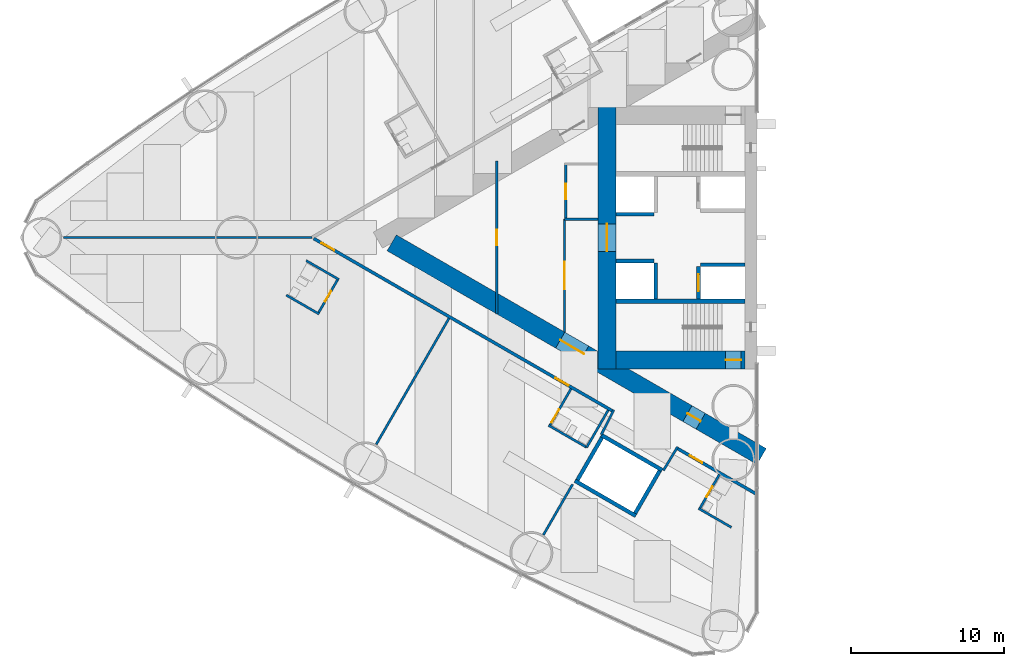
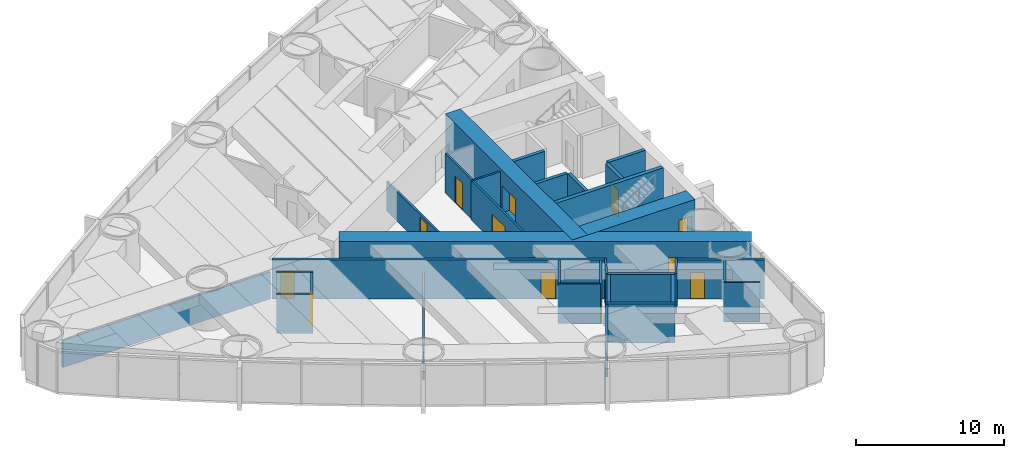
# One storey, part 11 of 18: 32 walls, 14 doors, 14 openings.
"""IFC4 building model written with IfcOpenShell, lengths in metres."""

from ifc_helpers import new_model, si_unit, direction, frame, frame_2d, origin, place, context, subcontext, project, spatial, rectangle, extrude, material, layer, layer_set, type_object, element, fill, save


model = new_model("IFC4")

# Units and contexts
model_context = context("Model", 3, precision=1e-05, world=origin(), true_north=direction((0.0, 1.0)))
body_context = subcontext(model_context, "Body", "Model", "MODEL_VIEW")
ifc_project = project(units=[si_unit("LENGTHUNIT", "METRE"), si_unit("AREAUNIT", "SQUARE_METRE"), si_unit("VOLUMEUNIT", "CUBIC_METRE"), si_unit("PLANEANGLEUNIT", "RADIAN"), si_unit("MASSUNIT", "GRAM", prefix="KILO")], contexts=[model_context])

# Site, building, storey
site_placement = place(None, origin())
site = spatial("IfcSite", under=ifc_project, at=site_placement, CompositionType="ELEMENT")
building_placement = place(site_placement, origin())
building = spatial("IfcBuilding", under=site, at=building_placement, Name="Lancet Gate Hotel", CompositionType="ELEMENT")
storey_placement = place(building_placement, frame((0.0, 0.0, 46.0)))
storey = spatial("IfcBuildingStorey", under=building, at=storey_placement, Name="L11", CompositionType="ELEMENT", Elevation=46.0)

# Wall
ifc_material_1 = material(Name="Moisture resistant board partition")
ifc_layer_1 = layer(ifc_material_1, 0.14990234375)
ifc_layer_set_1 = layer_set([ifc_layer_1], Name="Bathroom wall 150")
wall_type_1 = type_object("IfcWallType", Name="Bathroom wall 150", PredefinedType="PARTITIONING", material=ifc_layer_set_1)
wall_1_placement = place(storey_placement, frame((-56.111083984375, -4.998291015625, 0.0), z_axis=(0.0, 0.0, 1.0), x_axis=(-0.866031185235, 0.4999899861, 0.0)))
element("IfcWall", 1, at=wall_1_placement, inside=storey, type_object=wall_type_1, Name="T1 bathroom wall 150 L11", PredefinedType="PARTITIONING", context=body_context, shape_type="SweptSolid", body=[
    extrude(rectangle(XDim=2.47509765625, YDim=0.14990234375, at=frame_2d((1.237548828125, 0.0))), origin(), (0.0, 0.0, 1.0), 3.25),
])

# Wall, opening, door
wall_2_placement = place(storey_placement, frame((-54.8759765625, -2.708984375, 0.0), z_axis=(0.0, 0.0, 1.0), x_axis=(-0.500006934395, -0.866021400173, 0.0)))
wall_2 = element("IfcWall", 2, at=wall_2_placement, inside=storey, type_object=wall_type_1, Name="T1 bathroom wall 150 L11", PredefinedType="PARTITIONING", context=body_context, shape_type="SweptSolid", body=[
    extrude(rectangle(XDim=2.60009765625, YDim=0.14990234375, at=frame_2d((1.300048828125, 0.0))), origin(), (0.0, 0.0, 1.0), 3.25),
])
opening_1_placement = place(wall_2_placement, frame((0.89990234375, 0.0, 0.0)))
opening_1 = element("IfcOpeningElement", 3, at=opening_1_placement, cuts=wall_2, Name="Opening 1105-B", PredefinedType="OPENING", context=body_context, shape_type="SweptSolid", body=[
    extrude(rectangle(XDim=0.800048828125, YDim=2.199951171875, at=frame_2d((0.39990234375, 1.10009765625))), frame((0.0, 0.0849609375, 0.0), z_axis=(0.0, -1.0, 0.0), x_axis=(1.0, 0.0, 0.0)), (0.0, 0.0, 1.0), 0.169921875),
])
ifc_material_2 = material(Name="Timber door set", Category="wood")
door_type_1 = type_object("IfcDoorType", Name="Bathroom door 800", OperationType="SINGLE_SWING_RIGHT", PredefinedType="DOOR", material=ifc_material_2)
door_1_placement = place(opening_1_placement, origin())
door_1 = element("IfcDoor", 4, at=door_1_placement, inside=storey, type_object=door_type_1, Name="1105-B", OperationType="SINGLE_SWING_RIGHT", OverallHeight=2.199951171875, OverallWidth=0.800048828125, PredefinedType="DOOR", context=body_context, shape_type="SweptSolid", body=[
    extrude(rectangle(XDim=0.800048828125, YDim=2.199951171875, at=frame_2d((0.39990234375, 1.10009765625))), frame((0.0, 0.02490234375, 0.0), z_axis=(0.0, -1.0, 0.0), x_axis=(1.0, 0.0, 0.0)), (0.0, 0.0, 1.0), 0.050048828125),
])
fill(opening_1, door_1)

# Walls
wall_3_placement = place(storey_placement, frame((-54.81103515625, -2.74658203125, 0.0), z_axis=(0.0, 0.0, 1.0), x_axis=(-0.866031185235, 0.4999899861, 0.0)))
element("IfcWall", 5, at=wall_3_placement, inside=storey, type_object=wall_type_1, Name="T1 bathroom wall 150 L11", PredefinedType="PARTITIONING", context=body_context, shape_type="SweptSolid", body=[
    extrude(rectangle(XDim=2.47509765625, YDim=0.14990234375, at=frame_2d((1.237548828125, 0.0))), origin(), (0.0, 0.0, 1.0), 3.25),
])
wall_4_placement = place(storey_placement, frame((-38.630126953125, -13.705322265625, 0.0), z_axis=(0.0, 0.0, 1.0), x_axis=(-0.866018712932, 0.500011588718, 0.0)))
element("IfcWall", 6, at=wall_4_placement, inside=storey, type_object=wall_type_1, Name="T1 bathroom wall 150 L11", PredefinedType="PARTITIONING", context=body_context, shape_type="SweptSolid", body=[
    extrude(rectangle(XDim=2.875, YDim=0.14990234375, at=frame_2d((1.4375, 0.0))), origin(), (0.0, 0.0, 1.0), 3.25),
])

# Wall, opening, door
wall_5_placement = place(storey_placement, frame((-39.65478515625, -9.88037109375, 0.0), z_axis=(0.0, 0.0, 1.0), x_axis=(-0.500049511043, -0.865996816683, 0.0)))
wall_5 = element("IfcWall", 7, at=wall_5_placement, inside=storey, type_object=wall_type_1, Name="T1 bathroom wall 150 L11", PredefinedType="PARTITIONING", context=body_context, shape_type="SweptSolid", body=[
    extrude(rectangle(XDim=2.800048828125, YDim=0.14990234375, at=frame_2d((1.39990234375, 0.0))), origin(), (0.0, 0.0, 1.0), 3.25),
])
opening_2_placement = place(wall_5_placement, frame((1.550048828125, 0.0, 0.0)))
opening_2 = element("IfcOpeningElement", 8, at=opening_2_placement, cuts=wall_5, Name="Opening 1107-B", PredefinedType="OPENING", context=body_context, shape_type="SweptSolid", body=[
    extrude(rectangle(XDim=1.0, YDim=2.199951171875, at=frame_2d((0.5, 1.10009765625))), frame((0.0, 0.0849609375, 0.0), z_axis=(0.0, -1.0, 0.0), x_axis=(1.0, 0.0, 0.0)), (0.0, 0.0, 1.0), 0.169921875),
])
ifc_material_3 = material(Name="Timber door set", Category="wood")
door_type_2 = type_object("IfcDoorType", Name="Accessible en-suite door 1000", OperationType="SINGLE_SWING_RIGHT", PredefinedType="DOOR", material=ifc_material_3)
door_2_placement = place(opening_2_placement, origin())
door_2 = element("IfcDoor", 9, at=door_2_placement, inside=storey, type_object=door_type_2, Name="1107-B", OperationType="SINGLE_SWING_RIGHT", OverallHeight=2.199951171875, OverallWidth=1.0, PredefinedType="DOOR", context=body_context, shape_type="SweptSolid", body=[
    extrude(rectangle(XDim=1.0, YDim=2.199951171875, at=frame_2d((0.5, 1.10009765625))), frame((0.0, 0.02490234375, 0.0), z_axis=(0.0, -1.0, 0.0), x_axis=(1.0, 0.0, 0.0)), (0.0, 0.0, 1.0), 0.050048828125),
])
fill(opening_2, door_2)

# Walls
wall_6_placement = place(storey_placement, frame((-37.22998046875, -11.280517578125, 0.0), z_axis=(0.0, 0.0, 1.0), x_axis=(-0.500049511043, -0.865996816683, 0.0)))
element("IfcWall", 10, at=wall_6_placement, inside=storey, type_object=wall_type_1, Name="T1 bathroom wall 150 L11", PredefinedType="PARTITIONING", context=body_context, shape_type="SweptSolid", body=[
    extrude(rectangle(XDim=2.800048828125, YDim=0.14990234375, at=frame_2d((1.39990234375, 0.0))), origin(), (0.0, 0.0, 1.0), 3.25),
])
wall_7_placement = place(storey_placement, frame((-29.181884765625, -18.92919921875, 0.0), z_axis=(0.0, 0.0, 1.0), x_axis=(-0.866006523861, 0.500032699561, 0.0)))
element("IfcWall", 11, at=wall_7_placement, inside=storey, type_object=wall_type_1, Name="T1 bathroom wall 150 L11", PredefinedType="PARTITIONING", context=body_context, shape_type="SweptSolid", body=[
    extrude(rectangle(XDim=2.474853515625, YDim=0.14990234375, at=frame_2d((1.2373046875, 0.0))), origin(), (0.0, 0.0, 1.0), 3.25),
])

# Wall, opening, door
wall_8_placement = place(storey_placement, frame((-29.960205078125, -15.4775390625, 0.0), z_axis=(0.0, 0.0, 1.0), x_axis=(-0.500006934395, -0.866021400173, 0.0)))
wall_8 = element("IfcWall", 12, at=wall_8_placement, inside=storey, type_object=wall_type_1, Name="T1 bathroom wall 150 L11", PredefinedType="PARTITIONING", context=body_context, shape_type="SweptSolid", body=[
    extrude(rectangle(XDim=2.60009765625, YDim=0.14990234375, at=frame_2d((1.300048828125, 0.0))), origin(), (0.0, 0.0, 1.0), 3.25),
])
opening_3_placement = place(wall_8_placement, frame((0.89990234375, 0.0, 0.0)))
opening_3 = element("IfcOpeningElement", 13, at=opening_3_placement, cuts=wall_8, Name="Opening 1108-B", PredefinedType="OPENING", context=body_context, shape_type="SweptSolid", body=[
    extrude(rectangle(XDim=0.800048828125, YDim=2.199951171875, at=frame_2d((0.39990234375, 1.10009765625))), frame((0.0, 0.0849609375, 0.0), z_axis=(0.0, -1.0, 0.0), x_axis=(1.0, 0.0, 0.0)), (0.0, 0.0, 1.0), 0.169921875),
])
door_3_placement = place(opening_3_placement, origin())
door_3 = element("IfcDoor", 14, at=door_3_placement, inside=storey, type_object=door_type_1, Name="1108-B", OperationType="SINGLE_SWING_RIGHT", OverallHeight=2.199951171875, OverallWidth=0.800048828125, PredefinedType="DOOR", context=body_context, shape_type="SweptSolid", body=[
    extrude(rectangle(XDim=0.800048828125, YDim=2.199951171875, at=frame_2d((0.39990234375, 1.10009765625))), frame((0.0, 0.02490234375, 0.0), z_axis=(0.0, -1.0, 0.0), x_axis=(1.0, 0.0, 0.0)), (0.0, 0.0, 1.0), 0.050048828125),
])
fill(opening_3, door_3)

# Wall, openings, doors
ifc_material_4 = material(Name="Concrete C70/85", Category="concrete")
ifc_layer_2 = layer(ifc_material_4, 1.199951171875)
ifc_layer_set_2 = layer_set([ifc_layer_2], Name="Buttress wall 1200")
wall_type_2 = type_object("IfcWallType", Name="Buttress wall 1200", PredefinedType="SHEAR", material=ifc_layer_set_2)
wall_9_placement = place(storey_placement, frame((-27.199951171875, -14.300048828125, 0.0), z_axis=(0.0, 0.0, 1.0), x_axis=(-0.866024021859, 0.500002393557, 0.0)))
wall_9 = element("IfcWall", 15, at=wall_9_placement, inside=storey, type_object=wall_type_2, Name="T1 buttress wall N L11", PredefinedType="SHEAR", context=body_context, shape_type="SweptSolid", body=[
    extrude(rectangle(XDim=27.906982421875, YDim=1.199951171875, at=frame_2d((13.95361328125, 0.0))), origin(), (0.0, 0.0, 1.0), 3.5),
])
opening_4_placement = place(wall_9_placement, frame((4.60009765625, 0.0, 0.0)))
opening_4 = element("IfcOpeningElement", 16, at=opening_4_placement, cuts=wall_9, Name="Opening T1-L11-LN", PredefinedType="OPENING", context=body_context, shape_type="SweptSolid", body=[
    extrude(rectangle(XDim=1.0, YDim=2.199951171875, at=frame_2d((0.5, 1.10009765625))), frame((0.0, 0.60986328125, 0.0), z_axis=(0.0, -1.0, 0.0), x_axis=(1.0, 0.0, 0.0)), (0.0, 0.0, 1.0), 1.219970703125),
])
opening_5_placement = place(wall_9_placement, frame((13.39453125, 0.0, 0.0)))
opening_5 = element("IfcOpeningElement", 17, at=opening_5_placement, cuts=wall_9, Name="Opening T1-L11-LHN", PredefinedType="OPENING", context=body_context, shape_type="SweptSolid", body=[
    extrude(rectangle(XDim=1.800048828125, YDim=2.199951171875, at=frame_2d((0.89990234375, 1.10009765625))), frame((0.0, 0.60986328125, 0.0), z_axis=(0.0, -1.0, 0.0), x_axis=(1.0, 0.0, 0.0)), (0.0, 0.0, 1.0), 1.219970703125),
])
ifc_material_5 = material(Name="Timber door set", Category="wood")
door_type_3 = type_object("IfcDoorType", Name="Lobby double door 1800", OperationType="DOUBLE_DOOR_SINGLE_SWING", PredefinedType="DOOR", material=ifc_material_5)
door_4_placement = place(opening_5_placement, origin())
door_4 = element("IfcDoor", 18, at=door_4_placement, inside=storey, type_object=door_type_3, Name="T1-L11-LHN", OperationType="DOUBLE_DOOR_SINGLE_SWING", OverallHeight=2.199951171875, OverallWidth=1.800048828125, PredefinedType="DOOR", context=body_context, shape_type="SweptSolid", body=[
    extrude(rectangle(XDim=1.800048828125, YDim=2.199951171875, at=frame_2d((0.89990234375, 1.10009765625))), frame((0.0, 0.02490234375, 0.0), z_axis=(0.0, -1.0, 0.0), x_axis=(1.0, 0.0, 0.0)), (0.0, 0.0, 1.0), 0.050048828125),
])
fill(opening_5, door_4)
ifc_material_6 = material(Name="Timber door set", Category="wood")
door_type_4 = type_object("IfcDoorType", Name="Stair lobby door 1000", OperationType="SINGLE_SWING_LEFT", PredefinedType="DOOR", material=ifc_material_6)
door_5_placement = place(opening_4_placement, origin())
door_5 = element("IfcDoor", 19, at=door_5_placement, inside=storey, type_object=door_type_4, Name="T1-L11-LN", OperationType="SINGLE_SWING_LEFT", OverallHeight=2.199951171875, OverallWidth=1.0, PredefinedType="DOOR", context=body_context, shape_type="SweptSolid", body=[
    extrude(rectangle(XDim=1.0, YDim=2.199951171875, at=frame_2d((0.5, 1.10009765625))), frame((0.0, 0.02490234375, 0.0), z_axis=(0.0, -1.0, 0.0), x_axis=(1.0, 0.0, 0.0)), (0.0, 0.0, 1.0), 0.050048828125),
])
fill(opening_4, door_5)

# Wall, opening, door
ifc_material_7 = material(Name="Concrete C70/85", Category="concrete")
ifc_layer_3 = layer(ifc_material_7, 1.199951171875)
ifc_layer_set_3 = layer_set([ifc_layer_3], Name="Core wall 1200")
wall_type_3 = type_object("IfcWallType", Name="Core wall 1200", PredefinedType="SHEAR", material=ifc_layer_set_3)
wall_10_placement = place(storey_placement, frame((-37.300048828125, 8.60009765625, 0.0), z_axis=(0.0, 0.0, 1.0), x_axis=(0.0, -1.0, 0.0)))
wall_10 = element("IfcWall", 20, at=wall_10_placement, inside=storey, type_object=wall_type_3, Name="T1 core wall back L11", PredefinedType="SHEAR", context=body_context, shape_type="SweptSolid", body=[
    extrude(rectangle(XDim=17.2001953125, YDim=1.199951171875, at=frame_2d((8.60009765625, 0.0))), origin(), (0.0, 0.0, 1.0), 3.5),
])
opening_6_placement = place(wall_10_placement, frame((7.699951171875, 0.0, 0.0)))
opening_6 = element("IfcOpeningElement", 21, at=opening_6_placement, cuts=wall_10, Name="Opening T1-L11-LL", PredefinedType="OPENING", context=body_context, shape_type="SweptSolid", body=[
    extrude(rectangle(XDim=1.800048828125, YDim=2.199951171875, at=frame_2d((0.89990234375, 1.10009765625))), frame((0.0, 0.60986328125, 0.0), z_axis=(0.0, -1.0, 0.0), x_axis=(1.0, 0.0, 0.0)), (0.0, 0.0, 1.0), 1.219970703125),
])
door_6_placement = place(opening_6_placement, origin())
door_6 = element("IfcDoor", 22, at=door_6_placement, inside=storey, type_object=door_type_3, Name="T1-L11-LL", OperationType="DOUBLE_DOOR_SINGLE_SWING", OverallHeight=2.199951171875, OverallWidth=1.800048828125, PredefinedType="DOOR", context=body_context, shape_type="SweptSolid", body=[
    extrude(rectangle(XDim=1.800048828125, YDim=2.199951171875, at=frame_2d((0.89990234375, 1.10009765625))), frame((0.0, 0.02490234375, 0.0), z_axis=(0.0, -1.0, 0.0), x_axis=(1.0, 0.0, 0.0)), (0.0, 0.0, 1.0), 0.050048828125),
])
fill(opening_6, door_6)

wall_11_placement = place(storey_placement, frame((-28.300048828125, -8.0, 0.0), z_axis=(0.0, 0.0, 1.0), x_axis=(-1.0, 0.0, 0.0)))
wall_11 = element("IfcWall", 23, at=wall_11_placement, inside=storey, type_object=wall_type_3, Name="T1 core wall side-N L11", PredefinedType="SHEAR", context=body_context, shape_type="SweptSolid", body=[
    extrude(rectangle(XDim=8.39990234375, YDim=1.199951171875, at=frame_2d((4.199951171875, 0.0))), origin(), (0.0, 0.0, 1.0), 3.5),
])
opening_7_placement = place(wall_11_placement, frame((0.25, 0.0, 0.0)))
opening_7 = element("IfcOpeningElement", 24, at=opening_7_placement, cuts=wall_11, Name="Opening T1-L11-ST2", PredefinedType="OPENING", context=body_context, shape_type="SweptSolid", body=[
    extrude(rectangle(XDim=1.0, YDim=2.199951171875, at=frame_2d((0.5, 1.10009765625))), frame((0.0, 0.60986328125, 0.0), z_axis=(0.0, -1.0, 0.0), x_axis=(1.0, 0.0, 0.0)), (0.0, 0.0, 1.0), 1.219970703125),
])
ifc_material_8 = material(Name="Timber door set", Category="wood")
door_type_5 = type_object("IfcDoorType", Name="Stair door 1000", OperationType="SINGLE_SWING_RIGHT", PredefinedType="DOOR", material=ifc_material_8)
door_7_placement = place(opening_7_placement, origin())
door_7 = element("IfcDoor", 25, at=door_7_placement, inside=storey, type_object=door_type_5, Name="T1-L11-ST2", OperationType="SINGLE_SWING_RIGHT", OverallHeight=2.199951171875, OverallWidth=1.0, PredefinedType="DOOR", context=body_context, shape_type="SweptSolid", body=[
    extrude(rectangle(XDim=1.0, YDim=2.199951171875, at=frame_2d((0.5, 1.10009765625))), frame((0.0, 0.02490234375, 0.0), z_axis=(0.0, -1.0, 0.0), x_axis=(1.0, 0.0, 0.0)), (0.0, 0.0, 1.0), 0.050048828125),
])
fill(opening_7, door_7)

ifc_material_9 = material(Name="Gypsum board partition")
ifc_layer_4 = layer(ifc_material_9, 0.199951171875)
ifc_layer_set_4 = layer_set([ifc_layer_4], Name="Corridor wall 200")
wall_type_4 = type_object("IfcWallType", Name="Corridor wall 200", PredefinedType="PARTITIONING", material=ifc_layer_set_4)
wall_12_placement = place(storey_placement, frame((-27.572021484375, -16.740966796875, 0.0), z_axis=(0.0, 0.0, 1.0), x_axis=(-0.866024464444, 0.500001626982, 0.0)))
wall_12 = element("IfcWall", 26, at=wall_12_placement, inside=storey, type_object=wall_type_4, Name="T1 corridor wall 200 L11", PredefinedType="PARTITIONING", context=body_context, shape_type="SweptSolid", body=[
    extrude(rectangle(XDim=5.955078125, YDim=0.199951171875, at=frame_2d((2.9775390625, 0.0))), origin(), (0.0, 0.0, 1.0), 3.25),
])
opening_8_placement = place(wall_12_placement, frame((4.050048828125, 0.0, 0.0)))
opening_8 = element("IfcOpeningElement", 27, at=opening_8_placement, cuts=wall_12, Name="Opening 1108-E", PredefinedType="OPENING", context=body_context, shape_type="SweptSolid", body=[
    extrude(rectangle(XDim=0.949951171875, YDim=2.199951171875, at=frame_2d((0.47509765625, 1.10009765625))), frame((0.0, 0.10986328125, 0.0), z_axis=(0.0, -1.0, 0.0), x_axis=(1.0, 0.0, 0.0)), (0.0, 0.0, 1.0), 0.219970703125),
])
ifc_material_10 = material(Name="Timber door set", Category="wood")
door_type_6 = type_object("IfcDoorType", Name="Guest room entry door 950", OperationType="SINGLE_SWING_LEFT", PredefinedType="DOOR", material=ifc_material_10)
door_8_placement = place(opening_8_placement, origin())
door_8 = element("IfcDoor", 28, at=door_8_placement, inside=storey, type_object=door_type_6, Name="1108-E", OperationType="SINGLE_SWING_LEFT", OverallHeight=2.199951171875, OverallWidth=0.949951171875, PredefinedType="DOOR", context=body_context, shape_type="SweptSolid", body=[
    extrude(rectangle(XDim=0.949951171875, YDim=2.199951171875, at=frame_2d((0.47509765625, 1.10009765625))), frame((0.0, 0.02490234375, 0.0), z_axis=(0.0, -1.0, 0.0), x_axis=(1.0, 0.0, 0.0)), (0.0, 0.0, 1.0), 0.050048828125),
])
fill(opening_8, door_8)

# Wall, openings, doors
wall_13_placement = place(storey_placement, frame((-36.920166015625, -11.34375, 0.0), z_axis=(0.0, 0.0, 1.0), x_axis=(-0.866028313256, 0.499994960614, 0.0)))
wall_13 = element("IfcWall", 29, at=wall_13_placement, inside=storey, type_object=wall_type_4, Name="T1 corridor wall 200 L11", PredefinedType="PARTITIONING", context=body_context, shape_type="SweptSolid", body=[
    extrude(rectangle(XDim=22.567626953125, YDim=0.199951171875, at=frame_2d((11.28369140625, 0.0))), origin(), (0.0, 0.0, 1.0), 3.25),
])
opening_9_placement = place(wall_13_placement, frame((21.017578125, 0.0, 0.0)))
opening_9 = element("IfcOpeningElement", 30, at=opening_9_placement, cuts=wall_13, Name="Opening 1105-E", PredefinedType="OPENING", context=body_context, shape_type="SweptSolid", body=[
    extrude(rectangle(XDim=0.949951171875, YDim=2.199951171875, at=frame_2d((0.47509765625, 1.10009765625))), frame((0.0, 0.10986328125, 0.0), z_axis=(0.0, -1.0, 0.0), x_axis=(1.0, 0.0, 0.0)), (0.0, 0.0, 1.0), 0.219970703125),
])
opening_10_placement = place(wall_13_placement, frame((3.35009765625, 0.0, 0.0)))
opening_10 = element("IfcOpeningElement", 31, at=opening_10_placement, cuts=wall_13, Name="Opening 1107-E", PredefinedType="OPENING", context=body_context, shape_type="SweptSolid", body=[
    extrude(rectangle(XDim=1.0, YDim=2.199951171875, at=frame_2d((0.5, 1.10009765625))), frame((0.0, 0.10986328125, 0.0), z_axis=(0.0, -1.0, 0.0), x_axis=(1.0, 0.0, 0.0)), (0.0, 0.0, 1.0), 0.219970703125),
])
ifc_material_11 = material(Name="Timber door set", Category="wood")
door_type_7 = type_object("IfcDoorType", Name="Accessible guest room door 1000", OperationType="SINGLE_SWING_LEFT", PredefinedType="DOOR", material=ifc_material_11)
door_9_placement = place(opening_10_placement, origin())
door_9 = element("IfcDoor", 32, at=door_9_placement, inside=storey, type_object=door_type_7, Name="1107-E", OperationType="SINGLE_SWING_LEFT", OverallHeight=2.199951171875, OverallWidth=1.0, PredefinedType="DOOR", context=body_context, shape_type="SweptSolid", body=[
    extrude(rectangle(XDim=1.0, YDim=2.199951171875, at=frame_2d((0.5, 1.10009765625))), frame((0.0, 0.02490234375, 0.0), z_axis=(0.0, -1.0, 0.0), x_axis=(1.0, 0.0, 0.0)), (0.0, 0.0, 1.0), 0.050048828125),
])
fill(opening_10, door_9)
door_10_placement = place(opening_9_placement, origin())
door_10 = element("IfcDoor", 33, at=door_10_placement, inside=storey, type_object=door_type_6, Name="1105-E", OperationType="SINGLE_SWING_LEFT", OverallHeight=2.199951171875, OverallWidth=0.949951171875, PredefinedType="DOOR", context=body_context, shape_type="SweptSolid", body=[
    extrude(rectangle(XDim=0.949951171875, YDim=2.199951171875, at=frame_2d((0.47509765625, 1.10009765625))), frame((0.0, 0.02490234375, 0.0), z_axis=(0.0, -1.0, 0.0), x_axis=(1.0, 0.0, 0.0)), (0.0, 0.0, 1.0), 0.050048828125),
])
fill(opening_9, door_10)

# Walls
ifc_material_12 = material(Name="Gypsum board partition")
ifc_layer_5 = layer(ifc_material_12, 0.25)
ifc_layer_set_5 = layer_set([ifc_layer_5], Name="Lift shaft partition 250")
wall_type_5 = type_object("IfcWallType", Name="Lift shaft partition 250", PredefinedType="PARTITIONING", material=ifc_layer_set_5)
wall_14_placement = place(storey_placement, frame((-33.695556640625, -15.197265625, 0.0), z_axis=(0.0, 0.0, 1.0), x_axis=(-0.865976953817, 0.500083908417, 0.0)))
element("IfcWall", 34, at=wall_14_placement, inside=storey, type_object=wall_type_5, Name="T1 lift shaft wall EX L11", PredefinedType="PARTITIONING", context=body_context, shape_type="SweptSolid", body=[
    extrude(rectangle(XDim=4.599365234375, YDim=0.25, at=frame_2d((2.2998046875, 0.0))), origin(), (0.0, 0.0, 1.0), 3.25),
])
wall_15_placement = place(storey_placement, frame((-35.42041015625, -18.185791015625, 0.0), z_axis=(0.0, 0.0, 1.0), x_axis=(-0.865990227814, 0.50006092162, 0.0)))
element("IfcWall", 35, at=wall_15_placement, inside=storey, type_object=wall_type_5, Name="T1 lift shaft wall EX L11", PredefinedType="PARTITIONING", context=body_context, shape_type="SweptSolid", body=[
    extrude(rectangle(XDim=4.599609375, YDim=0.25, at=frame_2d((2.2998046875, 0.0))), origin(), (0.0, 0.0, 1.0), 3.25),
])
wall_16_placement = place(storey_placement, frame((-33.8662109375, -15.242919921875, 0.0), z_axis=(0.0, 0.0, 1.0), x_axis=(-0.499929347863, -0.866066190972, 0.0)))
element("IfcWall", 36, at=wall_16_placement, inside=storey, type_object=wall_type_5, Name="T1 lift shaft wall EX L11", PredefinedType="PARTITIONING", context=body_context, shape_type="SweptSolid", body=[
    extrude(rectangle(XDim=3.20068359375, YDim=0.25, at=frame_2d((1.600341796875, 0.0))), origin(), (0.0, 0.0, 1.0), 3.25),
])
wall_17_placement = place(storey_placement, frame((-37.6328125, -13.068115234375, 0.0), z_axis=(0.0, 0.0, 1.0), x_axis=(-0.499872130319, -0.866099216793, 0.0)))
element("IfcWall", 37, at=wall_17_placement, inside=storey, type_object=wall_type_5, Name="T1 lift shaft wall EX L11", PredefinedType="PARTITIONING", context=body_context, shape_type="SweptSolid", body=[
    extrude(rectangle(XDim=3.200439453125, YDim=0.25, at=frame_2d((1.60009765625, 0.0))), origin(), (0.0, 0.0, 1.0), 3.25),
])
ifc_material_13 = material(Name="Concrete C50/60", Category="concrete")
ifc_layer_6 = layer(ifc_material_13, 0.25)
ifc_layer_set_6 = layer_set([ifc_layer_6], Name="Lift shaft wall 250")
wall_type_6 = type_object("IfcWallType", Name="Lift shaft wall 250", PredefinedType="SHEAR", material=ifc_layer_set_6)
wall_18_placement = place(storey_placement, frame((-34.25, 1.52490234375, 0.0), z_axis=(0.0, 0.0, 1.0), x_axis=(-1.0, 0.0, 0.0)))
element("IfcWall", 38, at=wall_18_placement, inside=storey, type_object=wall_type_6, Name="T1 core wall pass2-S L11", PredefinedType="SHEAR", context=body_context, shape_type="SweptSolid", body=[
    extrude(rectangle(XDim=2.449951171875, YDim=0.25, at=frame_2d((1.22509765625, 0.0))), origin(), (0.0, 0.0, 1.0), 3.5),
])

# Wall, opening, door
wall_19_placement = place(storey_placement, frame((-31.324951171875, -1.89990234375, 0.0), z_axis=(0.0, 0.0, 1.0), x_axis=(0.0, -1.0, 0.0)))
wall_19 = element("IfcWall", 39, at=wall_19_placement, inside=storey, type_object=wall_type_6, Name="T1 core wall row1-N L11", PredefinedType="SHEAR", context=body_context, shape_type="SweptSolid", body=[
    extrude(rectangle(XDim=2.10009765625, YDim=0.25, at=frame_2d((1.050048828125, 0.0))), origin(), (0.0, 0.0, 1.0), 3.5),
])
opening_11_placement = place(wall_19_placement, frame((0.5, 0.0, 0.0)))
opening_11 = element("IfcOpeningElement", 40, at=opening_11_placement, cuts=wall_19, Name="Opening T1-FL2-L11", PredefinedType="OPENING", context=body_context, shape_type="SweptSolid", body=[
    extrude(rectangle(XDim=1.10009765625, YDim=2.199951171875, at=frame_2d((0.550048828125, 1.10009765625))), frame((0.0, 0.135009765625, 0.0), z_axis=(0.0, -1.0, 0.0), x_axis=(1.0, 0.0, 0.0)), (0.0, 0.0, 1.0), 0.27001953125),
])
ifc_material_14 = material(Name="Steel door set", Category="steel")
door_type_8 = type_object("IfcDoorType", Name="Firefighting lift landing door 1100", OperationType="SLIDING_TO_LEFT", PredefinedType="USERDEFINED", material=ifc_material_14)
door_11_placement = place(opening_11_placement, origin())
door_11 = element("IfcDoor", 41, at=door_11_placement, inside=storey, type_object=door_type_8, Name="T1-FL2-L11", ObjectType="LIFT LANDING DOOR", OperationType="SLIDING_TO_LEFT", OverallHeight=2.199951171875, OverallWidth=1.10009765625, PredefinedType="USERDEFINED", context=body_context, shape_type="SweptSolid", body=[
    extrude(rectangle(XDim=1.10009765625, YDim=2.199951171875, at=frame_2d((0.550048828125, 1.10009765625))), frame((0.0, 0.02490234375, 0.0), z_axis=(0.0, -1.0, 0.0), x_axis=(1.0, 0.0, 0.0)), (0.0, 0.0, 1.0), 0.050048828125),
])
fill(opening_11, door_11)

# Walls
wall_20_placement = place(storey_placement, frame((-34.125, -1.64990234375, 0.0), z_axis=(0.0, 0.0, 1.0), x_axis=(0.0, -1.0, 0.0)))
element("IfcWall", 42, at=wall_20_placement, inside=storey, type_object=wall_type_6, Name="T1 core wall row2-N L11", PredefinedType="SHEAR", context=body_context, shape_type="SweptSolid", body=[
    extrude(rectangle(XDim=2.35009765625, YDim=0.25, at=frame_2d((1.175048828125, 0.0))), origin(), (0.0, 0.0, 1.0), 3.5),
])
wall_21_placement = place(storey_placement, frame((-28.300048828125, -1.77490234375, 0.0), z_axis=(0.0, 0.0, 1.0), x_axis=(-1.0, 0.0, 0.0)))
element("IfcWall", 43, at=wall_21_placement, inside=storey, type_object=wall_type_6, Name="T1 core wall pass1-N L11", PredefinedType="SHEAR", context=body_context, shape_type="SweptSolid", body=[
    extrude(rectangle(XDim=2.89990234375, YDim=0.25, at=frame_2d((1.449951171875, 0.0))), origin(), (0.0, 0.0, 1.0), 3.5),
])
wall_22_placement = place(storey_placement, frame((-34.25, -1.52490234375, 0.0), z_axis=(0.0, 0.0, 1.0), x_axis=(-1.0, 0.0, 0.0)))
element("IfcWall", 44, at=wall_22_placement, inside=storey, type_object=wall_type_6, Name="T1 core wall pass2-N L11", PredefinedType="SHEAR", context=body_context, shape_type="SweptSolid", body=[
    extrude(rectangle(XDim=2.449951171875, YDim=0.25, at=frame_2d((1.22509765625, 0.0))), origin(), (0.0, 0.0, 1.0), 3.5),
])
ifc_material_15 = material(Name="Gypsum board partition")
ifc_layer_7 = layer(ifc_material_15, 0.14990234375)
ifc_layer_set_7 = layer_set([ifc_layer_7], Name="Party wall 150")
wall_type_7 = type_object("IfcWallType", Name="Party wall 150", PredefinedType="PARTITIONING", material=ifc_layer_set_7)
wall_23_placement = place(storey_placement, frame((-47.626708984375, -5.27783203125, 0.0), z_axis=(0.0, 0.0, 1.0), x_axis=(-0.500009844318, -0.86601972009, 0.0)))
element("IfcWall", 45, at=wall_23_placement, inside=storey, type_object=wall_type_7, Name="T1 party wall 150 L11", PredefinedType="PARTITIONING", context=body_context, shape_type="SweptSolid", body=[
    extrude(rectangle(XDim=9.510498046875, YDim=0.14990234375, at=frame_2d((4.75537109375, 0.0))), origin(), (0.0, 0.0, 1.0), 2.25),
])
wall_24_placement = place(storey_placement, frame((-56.568359375, 0.0, 0.0), z_axis=(0.0, 0.0, 1.0), x_axis=(-1.0, 0.0, 0.0)))
element("IfcWall", 46, at=wall_24_placement, inside=storey, type_object=wall_type_7, Name="T1 party wall 150 L11", PredefinedType="PARTITIONING", context=body_context, shape_type="SweptSolid", body=[
    extrude(rectangle(XDim=16.246826171875, YDim=0.14990234375, at=frame_2d((8.12353515625, 0.0))), origin(), (0.0, 0.0, 1.0), 2.25),
])
wall_25_placement = place(storey_placement, frame((-39.55078125, -16.118408203125, 0.0), z_axis=(0.0, 0.0, 1.0), x_axis=(-0.499986503906, -0.866033195618, 0.0)))
element("IfcWall", 47, at=wall_25_placement, inside=storey, type_object=wall_type_7, Name="T1 party wall 150 L11", PredefinedType="PARTITIONING", context=body_context, shape_type="SweptSolid", body=[
    extrude(rectangle(XDim=3.81494140625, YDim=0.14990234375, at=frame_2d((1.907470703125, 0.0))), origin(), (0.0, 0.0, 1.0), 3.25),
])
ifc_material_16 = material(Name="Gypsum board partition")
ifc_layer_8 = layer(ifc_material_16, 0.14990234375)
ifc_layer_set_8 = layer_set([ifc_layer_8], Name="Service room wall 150")
wall_type_8 = type_object("IfcWallType", Name="Service room wall 150", PredefinedType="PARTITIONING", material=ifc_layer_set_8)
wall_26_placement = place(storey_placement, frame((-36.857177734375, -11.2646484375, 0.0), z_axis=(0.0, 0.0, 1.0), x_axis=(-0.454225294761, -0.890886851176, 0.0)))
element("IfcWall", 48, at=wall_26_placement, inside=storey, type_object=wall_type_8, Name="T1 service room wall 150 L11", PredefinedType="PARTITIONING", context=body_context, shape_type="SweptSolid", body=[
    extrude(rectangle(XDim=1.80712890625, YDim=0.14990234375, at=frame_2d((0.903564453125, 0.0))), origin(), (0.0, 0.0, 1.0), 3.25),
])
wall_27_placement = place(storey_placement, frame((-33.62060546875, -15.217529296875, 0.0), z_axis=(0.0, 0.0, 1.0), x_axis=(0.514336634837, 0.857588377991, 0.0)))
element("IfcWall", 49, at=wall_27_placement, inside=storey, type_object=wall_type_8, Name="T1 service room wall 150 L11", PredefinedType="PARTITIONING", context=body_context, shape_type="SweptSolid", body=[
    extrude(rectangle(XDim=1.80517578125, YDim=0.14990234375, at=frame_2d((0.902587890625, 0.0))), origin(), (0.0, 0.0, 1.0), 3.25),
])
wall_28_placement = place(storey_placement, frame((-37.89990234375, 1.199951171875, 0.0), z_axis=(0.0, 0.0, 1.0), x_axis=(-1.0, 0.0, 0.0)))
element("IfcWall", 50, at=wall_28_placement, inside=storey, type_object=wall_type_8, Name="T1 service room wall 150 L11", PredefinedType="PARTITIONING", context=body_context, shape_type="SweptSolid", body=[
    extrude(rectangle(XDim=2.175048828125, YDim=0.14990234375, at=frame_2d((1.08740234375, 0.0))), origin(), (0.0, 0.0, 1.0), 3.25),
])

# Wall, opening, door
wall_29_placement = place(storey_placement, frame((-40.0, 4.875, 0.0), z_axis=(0.0, 0.0, 1.0), x_axis=(0.0, -1.0, 0.0)))
wall_29 = element("IfcWall", 51, at=wall_29_placement, inside=storey, type_object=wall_type_8, Name="T1 service room wall 150 L11", PredefinedType="PARTITIONING", context=body_context, shape_type="SweptSolid", body=[
    extrude(rectangle(XDim=3.75, YDim=0.14990234375, at=frame_2d((1.875, 0.0))), origin(), (0.0, 0.0, 1.0), 3.25),
])
opening_12_placement = place(wall_29_placement, frame((1.375, 0.0, 0.0)))
opening_12 = element("IfcOpeningElement", 52, at=opening_12_placement, cuts=wall_29, Name="Opening T1-L11-HRS0", PredefinedType="OPENING", context=body_context, shape_type="SweptSolid", body=[
    extrude(rectangle(XDim=1.0, YDim=2.199951171875, at=frame_2d((0.5, 1.10009765625))), frame((0.0, 0.0849609375, 0.0), z_axis=(0.0, -1.0, 0.0), x_axis=(1.0, 0.0, 0.0)), (0.0, 0.0, 1.0), 0.169921875),
])
ifc_material_17 = material(Name="Timber door set", Category="wood")
door_type_9 = type_object("IfcDoorType", Name="Service door 1000", OperationType="SINGLE_SWING_LEFT", PredefinedType="DOOR", material=ifc_material_17)
door_12_placement = place(opening_12_placement, origin())
door_12 = element("IfcDoor", 53, at=door_12_placement, inside=storey, type_object=door_type_9, Name="T1-L11-HRS0", OperationType="SINGLE_SWING_LEFT", OverallHeight=2.199951171875, OverallWidth=1.0, PredefinedType="DOOR", context=body_context, shape_type="SweptSolid", body=[
    extrude(rectangle(XDim=1.0, YDim=2.199951171875, at=frame_2d((0.5, 1.10009765625))), frame((0.0, 0.02490234375, 0.0), z_axis=(0.0, -1.0, 0.0), x_axis=(1.0, 0.0, 0.0)), (0.0, 0.0, 1.0), 0.050048828125),
])
fill(opening_12, door_12)

wall_30_placement = place(storey_placement, frame((-40.074951171875, 1.199951171875, 0.0), z_axis=(0.0, 0.0, 1.0), x_axis=(0.0, -1.0, 0.0)))
wall_30 = element("IfcWall", 54, at=wall_30_placement, inside=storey, type_object=wall_type_8, Name="T1 service room wall 150 L11", PredefinedType="PARTITIONING", context=body_context, shape_type="SweptSolid", body=[
    extrude(rectangle(XDim=7.373779296875, YDim=0.14990234375, at=frame_2d((3.68701171875, 0.0))), origin(), (0.0, 0.0, 1.0), 3.25),
])
opening_13_placement = place(wall_30_placement, frame((2.786865234375, 0.0, 0.0)))
opening_13 = element("IfcOpeningElement", 55, at=opening_13_placement, cuts=wall_30, Name="Opening T1-L11-LH", PredefinedType="OPENING", context=body_context, shape_type="SweptSolid", body=[
    extrude(rectangle(XDim=1.800048828125, YDim=2.199951171875, at=frame_2d((0.89990234375, 1.10009765625))), frame((0.0, 0.0849609375, 0.0), z_axis=(0.0, -1.0, 0.0), x_axis=(1.0, 0.0, 0.0)), (0.0, 0.0, 1.0), 0.169921875),
])
door_13_placement = place(opening_13_placement, origin())
door_13 = element("IfcDoor", 56, at=door_13_placement, inside=storey, type_object=door_type_3, Name="T1-L11-LH", OperationType="DOUBLE_DOOR_SINGLE_SWING", OverallHeight=2.199951171875, OverallWidth=1.800048828125, PredefinedType="DOOR", context=body_context, shape_type="SweptSolid", body=[
    extrude(rectangle(XDim=1.800048828125, YDim=2.199951171875, at=frame_2d((0.89990234375, 1.10009765625))), frame((0.0, 0.02490234375, 0.0), z_axis=(0.0, -1.0, 0.0), x_axis=(1.0, 0.0, 0.0)), (0.0, 0.0, 1.0), 0.050048828125),
])
fill(opening_13, door_13)

wall_31_placement = place(storey_placement, frame((-44.5, 5.004638671875, 0.0), z_axis=(0.0, 0.0, 1.0), x_axis=(0.0, -1.0, 0.0)))
wall_31 = element("IfcWall", 57, at=wall_31_placement, inside=storey, type_object=wall_type_8, Name="T1 service room wall 150 L11", PredefinedType="PARTITIONING", context=body_context, shape_type="SweptSolid", body=[
    extrude(rectangle(XDim=10.00927734375, YDim=0.14990234375, at=frame_2d((5.004638671875, 0.0))), origin(), (0.0, 0.0, 1.0), 2.449951171875),
])
opening_14_placement = place(wall_31_placement, frame((4.504638671875, 0.0, 0.0)))
opening_14 = element("IfcOpeningElement", 58, at=opening_14_placement, cuts=wall_31, Name="Opening T1-L11-SV", PredefinedType="OPENING", context=body_context, shape_type="SweptSolid", body=[
    extrude(rectangle(XDim=1.0, YDim=2.199951171875, at=frame_2d((0.5, 1.10009765625))), frame((0.0, 0.0849609375, 0.0), z_axis=(0.0, -1.0, 0.0), x_axis=(1.0, 0.0, 0.0)), (0.0, 0.0, 1.0), 0.169921875),
])
door_14_placement = place(opening_14_placement, origin())
door_14 = element("IfcDoor", 59, at=door_14_placement, inside=storey, type_object=door_type_9, Name="T1-L11-SV", OperationType="SINGLE_SWING_LEFT", OverallHeight=2.199951171875, OverallWidth=1.0, PredefinedType="DOOR", context=body_context, shape_type="SweptSolid", body=[
    extrude(rectangle(XDim=1.0, YDim=2.199951171875, at=frame_2d((0.5, 1.10009765625))), frame((0.0, 0.02490234375, 0.0), z_axis=(0.0, -1.0, 0.0), x_axis=(1.0, 0.0, 0.0)), (0.0, 0.0, 1.0), 0.050048828125),
])
fill(opening_14, door_14)

# Wall
ifc_material_18 = material(Name="Concrete C50/60", Category="concrete")
ifc_layer_9 = layer(ifc_material_18, 0.300048828125)
ifc_layer_set_9 = layer_set([ifc_layer_9], Name="Stair enclosure wall 300")
wall_type_9 = type_object("IfcWallType", Name="Stair enclosure wall 300", PredefinedType="SHEAR", material=ifc_layer_set_9)
wall_32_placement = place(storey_placement, frame((-28.300048828125, -4.14990234375, 0.0), z_axis=(0.0, 0.0, 1.0), x_axis=(-1.0, 0.0, 0.0)))
element("IfcWall", 60, at=wall_32_placement, inside=storey, type_object=wall_type_9, Name="T1 core wall stair-N L11", PredefinedType="SHEAR", context=body_context, shape_type="SweptSolid", body=[
    extrude(rectangle(XDim=8.39990234375, YDim=0.300048828125, at=frame_2d((4.199951171875, 0.0))), origin(), (0.0, 0.0, 1.0), 3.5),
])

save(model, "model.ifc")
